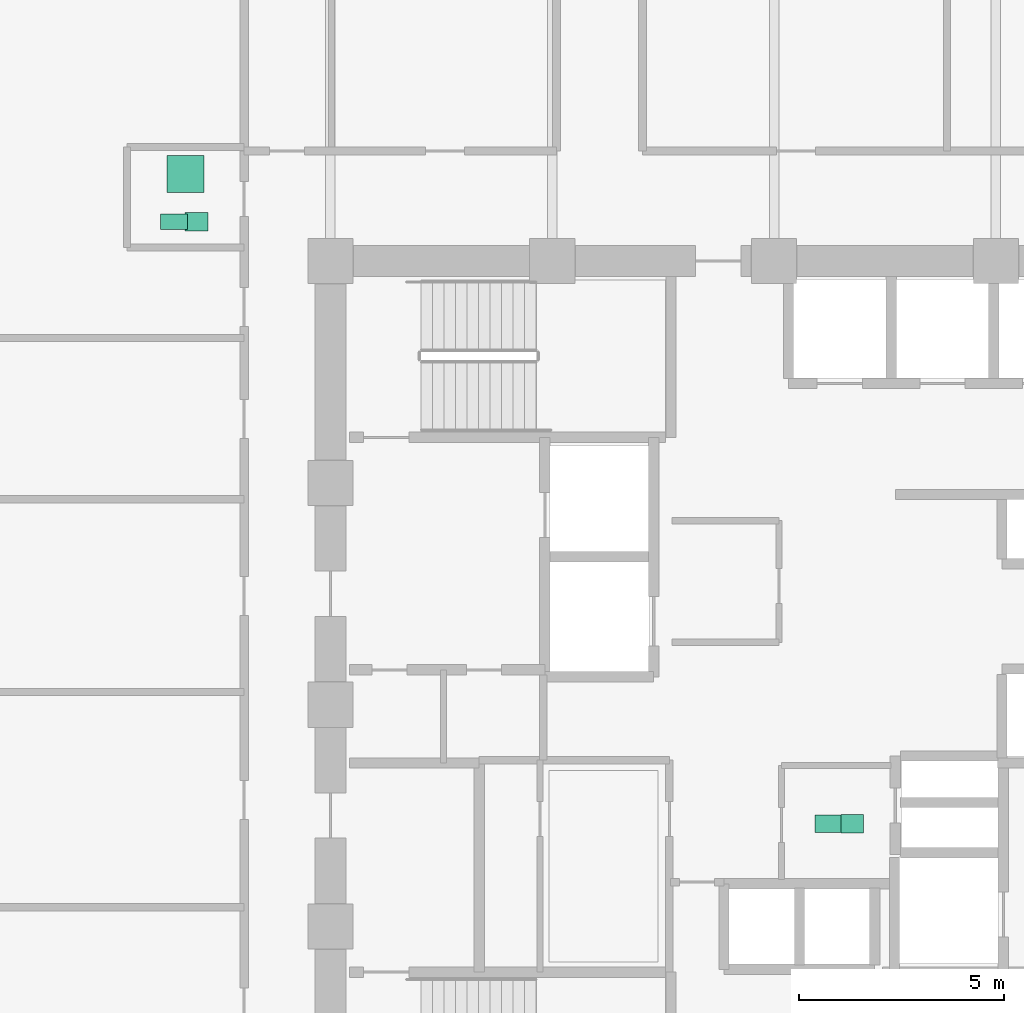
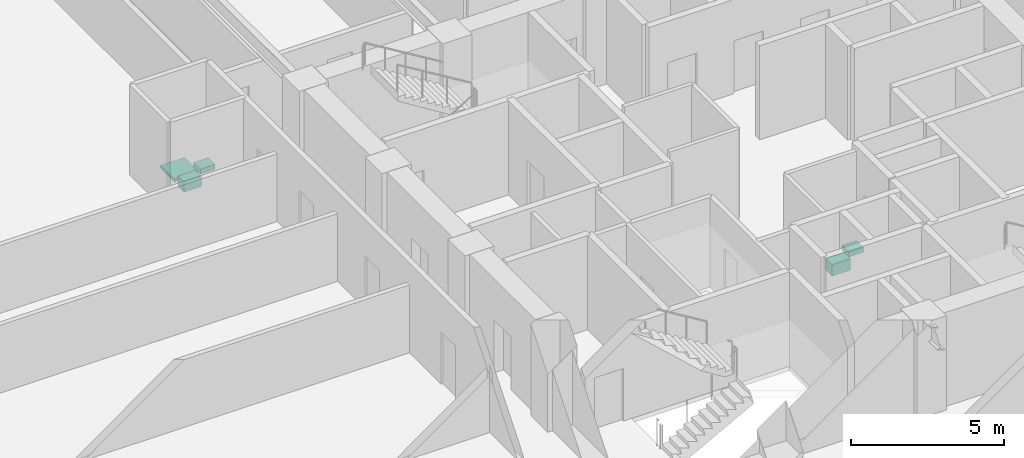
# One storey, part 25 of 25: 5 sanitary terminals.
"""IFC4 building model written with IfcOpenShell, lengths in metres."""

from ifc_helpers import new_model, si_unit, direction, frame, origin, origin_2d, place, context, subcontext, project, spatial, rectangle, extrude, material, type_object, element, save


model = new_model("IFC4")

# Units and contexts
model_context = context("Model", 3, precision=1e-05, world=origin(), true_north=direction((0.0, 1.0)))
body_context = subcontext(model_context, "Body", "Model", "MODEL_VIEW")
ifc_project = project(units=[si_unit("LENGTHUNIT", "METRE"), si_unit("AREAUNIT", "SQUARE_METRE"), si_unit("VOLUMEUNIT", "CUBIC_METRE"), si_unit("PLANEANGLEUNIT", "RADIAN"), si_unit("MASSUNIT", "GRAM", prefix="KILO")], contexts=[model_context])

# Site, building, storey
site_placement = place(None, origin())
site = spatial("IfcSite", under=ifc_project, at=site_placement, CompositionType="ELEMENT")
building_placement = place(site_placement, origin())
building = spatial("IfcBuilding", under=site, at=building_placement, Name="Surkhivell Harbour Commons", CompositionType="ELEMENT")
storey_placement = place(building_placement, frame((0.0, 0.0, 113.25)))
storey = spatial("IfcBuildingStorey", under=building, at=storey_placement, Name="L29", CompositionType="ELEMENT", Elevation=113.25)

# Sanitary terminals
ifc_material_1 = material(Name="Vitreous china washbasin", Category="other")
sanitary_terminal_type_1 = type_object("IfcSanitaryTerminalType", Name="SAN-BSN", PredefinedType="WASHHANDBASIN", material=ifc_material_1)
for number, where, z_axis, x_axis, name in (
    (1, (1.89990234375, -2.89990234375, 0.72021484375), (0.0, 0.0, 1.0), (1.0, 0.0, 0.0), "L29 Core Accessible WC Washbasin"),
    (2, (-14.06005859375, 11.760009765625, 0.72021484375), (0.0, 0.0, 1.0), (1.0, 0.0, 0.0), "L29 West Communal Bathroom WC Washbasin"),
):
    element("IfcSanitaryTerminal", number, at=place(storey_placement, frame(where, z_axis=z_axis, x_axis=x_axis)), inside=storey, type_object=sanitary_terminal_type_1, Name=name, PredefinedType="WASHHANDBASIN", context=body_context, shape_type="SweptSolid", body=[
        extrude(rectangle(XDim=0.550048828125, YDim=0.449951171875, at=origin_2d()), origin(), (0.0, 0.0, 1.0), 0.199951171875),
    ])
ifc_material_2 = material(Name="Glazed porcelain shower tray", Category="other")
sanitary_terminal_type_2 = type_object("IfcSanitaryTerminalType", Name="SAN-SHW", PredefinedType="SHOWER", material=ifc_material_2)
sanitary_terminal_1_placement = place(storey_placement, frame((-14.330078125, 12.919921875, 0.0), z_axis=(0.0, 0.0, 1.0), x_axis=(1.0, 0.0, 0.0)))
element("IfcSanitaryTerminal", 3, at=sanitary_terminal_1_placement, inside=storey, type_object=sanitary_terminal_type_2, Name="L29 West Communal Shower Tray", PredefinedType="SHOWER", context=body_context, shape_type="SweptSolid", body=[
    extrude(rectangle(XDim=0.89990234375, YDim=0.89990234375, at=origin_2d()), origin(), (0.0, 0.0, 1.0), 0.1201171875),
])
ifc_material_3 = material(Name="Vitreous china sanitaryware", Category="other")
sanitary_terminal_type_3 = type_object("IfcSanitaryTerminalType", Name="SAN-WC-ACC", PredefinedType="TOILETPAN", material=ifc_material_3)
sanitary_terminal_2_placement = place(storey_placement, frame((1.35009765625, -2.89990234375, 0.169921875), z_axis=(0.0, 0.0, 1.0), x_axis=(1.0, 0.0, 0.0)))
element("IfcSanitaryTerminal", 4, at=sanitary_terminal_2_placement, inside=storey, type_object=sanitary_terminal_type_3, Name="L29 Core Accessible WC", PredefinedType="TOILETPAN", context=body_context, shape_type="SweptSolid", body=[
    extrude(rectangle(XDim=0.699951171875, YDim=0.419921875, at=origin_2d()), origin(), (0.0, 0.0, 1.0), 0.4599609375),
])
sanitary_terminal_type_4 = type_object("IfcSanitaryTerminalType", Name="SAN-WC-STD", PredefinedType="TOILETPAN", material=ifc_material_3)
sanitary_terminal_3_placement = place(storey_placement, frame((-14.610107421875, 11.760009765625, 0.18994140625), z_axis=(0.0, 0.0, 1.0), x_axis=(1.0, 0.0, 0.0)))
element("IfcSanitaryTerminal", 5, at=sanitary_terminal_3_placement, inside=storey, type_object=sanitary_terminal_type_4, Name="L29 West Communal Bathroom WC", PredefinedType="TOILETPAN", context=body_context, shape_type="SweptSolid", body=[
    extrude(rectangle(XDim=0.64990234375, YDim=0.3798828125, at=origin_2d()), origin(), (0.0, 0.0, 1.0), 0.419921875),
])

save(model, "model.ifc")
